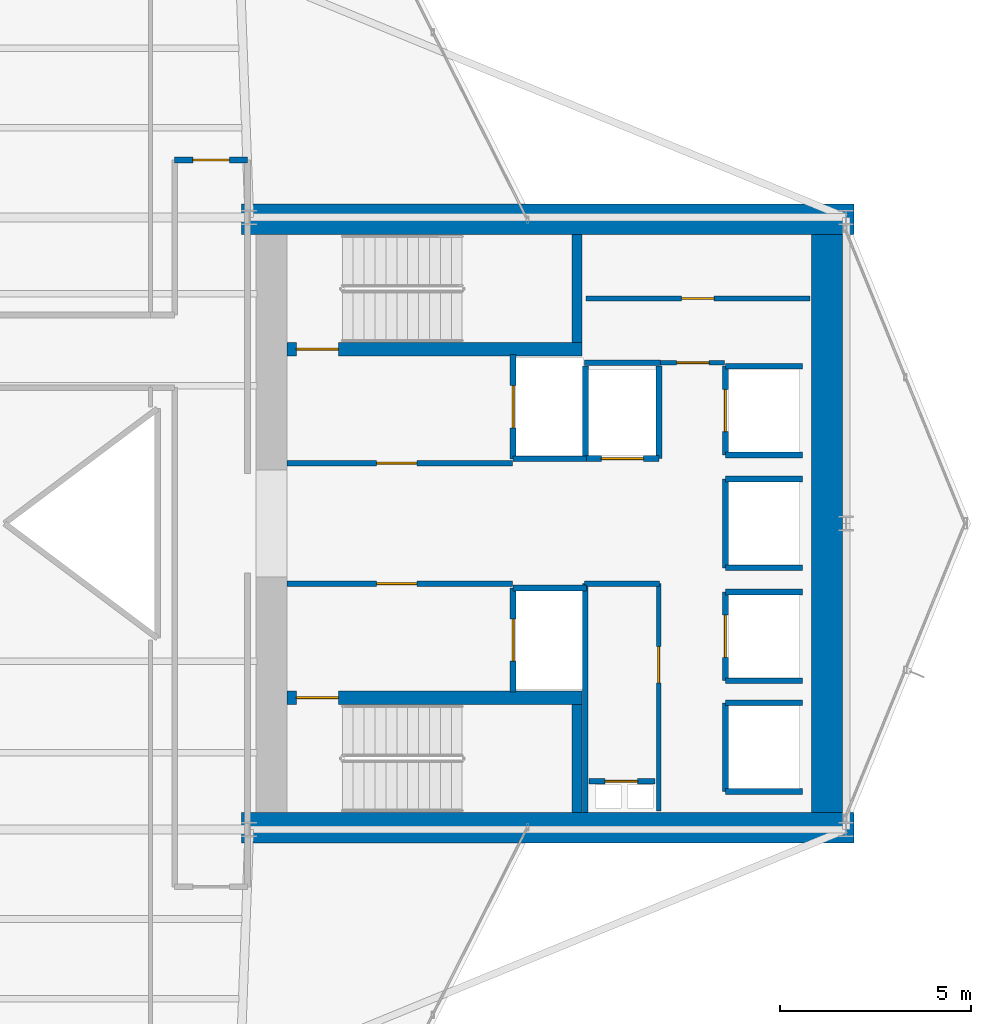
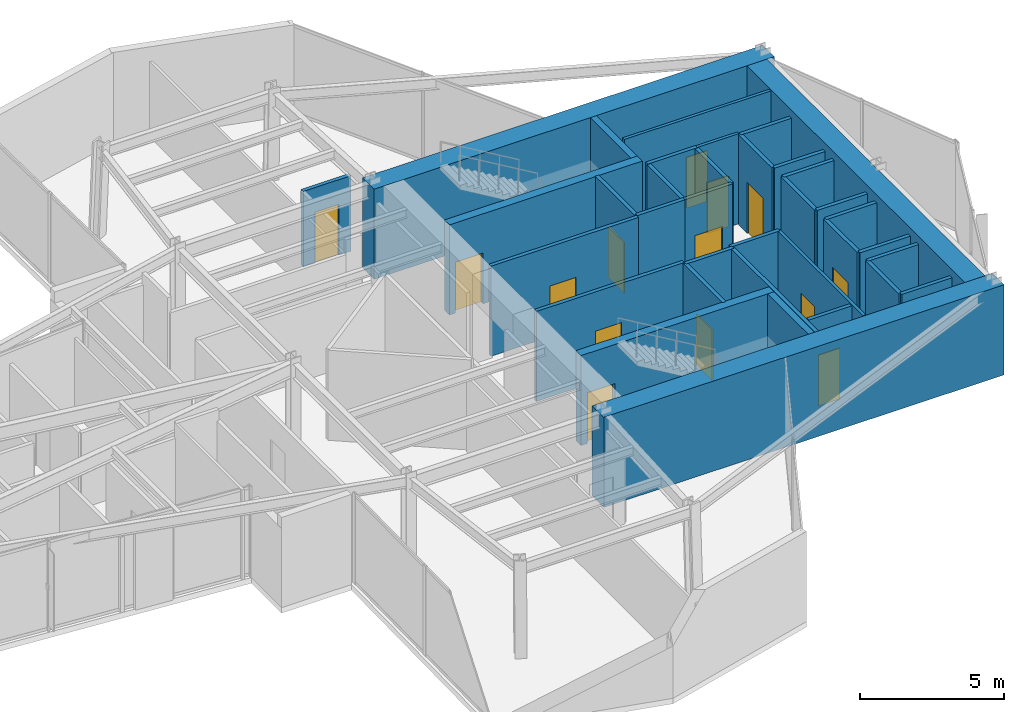
# One storey, part 23 of 25: 36 walls, 14 doors, 14 openings.
"""IFC4 building model written with IfcOpenShell, lengths in metres."""

from ifc_helpers import new_model, si_unit, direction, frame, frame_2d, origin, place, context, subcontext, project, spatial, rectangle, extrude, material, layer, layer_set, type_object, element, fill, save


model = new_model("IFC4")

# Units and contexts
model_context = context("Model", 3, precision=1e-05, world=origin(), true_north=direction((0.0, 1.0)))
body_context = subcontext(model_context, "Body", "Model", "MODEL_VIEW")
ifc_project = project(units=[si_unit("LENGTHUNIT", "METRE"), si_unit("AREAUNIT", "SQUARE_METRE"), si_unit("VOLUMEUNIT", "CUBIC_METRE"), si_unit("PLANEANGLEUNIT", "RADIAN"), si_unit("MASSUNIT", "GRAM", prefix="KILO")], contexts=[model_context])

# Site, building, storey
site_placement = place(None, origin())
site = spatial("IfcSite", under=ifc_project, at=site_placement, CompositionType="ELEMENT")
building_placement = place(site_placement, origin())
building = spatial("IfcBuilding", under=site, at=building_placement, Name="Veymaron Broadcast Tower", CompositionType="ELEMENT")
storey_placement = place(building_placement, frame((0.0, 0.0, 137.10009765625)))
storey = spatial("IfcBuildingStorey", under=building, at=storey_placement, Name="L31", CompositionType="ELEMENT", Elevation=137.10009765625)

# Wall, opening, door
ifc_material_1 = material(Name="Gypsum fireboard and steel stud framing", Category="steel")
ifc_layer_1 = layer(ifc_material_1, 0.14990234375)
ifc_layer_set_1 = layer_set([ifc_layer_1], Name="Gypsum fireboard and steel stud framing")
wall_type_1 = type_object("IfcWallType", Name="WALL-FIRE-150", PredefinedType="PARTITIONING", material=ifc_layer_set_1)
wall_1_placement = place(storey_placement, frame((39.97998046875, 25.574951171875, 0.0), z_axis=(0.0, 0.0, 1.0), x_axis=(1.0, 0.0, 0.0)))
wall_1 = element("IfcWall", 1, at=wall_1_placement, inside=storey, type_object=wall_type_1, Name="L31 partition IW-L31-FFLN-S", PredefinedType="PARTITIONING", context=body_context, shape_type="SweptSolid", body=[
    extrude(rectangle(XDim=5.89990234375, YDim=0.14990234375, at=frame_2d((2.949951171875, 0.0))), origin(), (0.0, 0.0, 1.0), 3.809814453125),
])
opening_1_placement = place(wall_1_placement, frame((2.35009765625, 0.0, 0.0)))
opening_1 = element("IfcOpeningElement", 2, at=opening_1_placement, cuts=wall_1, Name="Opening ID-FL1", PredefinedType="OPENING", context=body_context, shape_type="SweptSolid", body=[
    extrude(rectangle(XDim=1.050048828125, YDim=2.14990234375, at=frame_2d((0.52490234375, 1.074951171875))), frame((0.0, 0.0849609375, 0.0), z_axis=(0.0, -1.0, 0.0), x_axis=(1.0, 0.0, 0.0)), (0.0, 0.0, 1.0), 0.169921875),
])
ifc_material_2 = material(Name="Fire-rated painted hollow steel ASTM A653", Category="steel")
door_type_1 = type_object("IfcDoorType", Name="DOOR-FIRE-1050", OperationType="NOTDEFINED", PredefinedType="DOOR", material=ifc_material_2)
door_1_placement = place(opening_1_placement, origin())
door_1 = element("IfcDoor", 3, at=door_1_placement, inside=storey, type_object=door_type_1, Name="L31 door DR-L31-FFLN", OperationType="SINGLE_SWING_LEFT", OverallHeight=2.14990234375, OverallWidth=1.050048828125, PredefinedType="DOOR", context=body_context, shape_type="SweptSolid", body=[
    extrude(rectangle(XDim=1.050048828125, YDim=2.14990234375, at=frame_2d((0.52490234375, 1.074951171875))), frame((0.0, 0.02490234375, 0.0), z_axis=(0.0, -1.0, 0.0), x_axis=(1.0, 0.0, 0.0)), (0.0, 0.0, 1.0), 0.050048828125),
])
fill(opening_1, door_1)

wall_2_placement = place(storey_placement, frame((39.97998046875, 22.425048828125, 0.0), z_axis=(0.0, 0.0, 1.0), x_axis=(1.0, 0.0, 0.0)))
wall_2 = element("IfcWall", 4, at=wall_2_placement, inside=storey, type_object=wall_type_1, Name="L31 partition IW-L31-FFLS-N", PredefinedType="PARTITIONING", context=body_context, shape_type="SweptSolid", body=[
    extrude(rectangle(XDim=5.89990234375, YDim=0.14990234375, at=frame_2d((2.949951171875, 0.0))), origin(), (0.0, 0.0, 1.0), 3.809814453125),
])
opening_2_placement = place(wall_2_placement, frame((2.35009765625, 0.0, 0.0)))
opening_2 = element("IfcOpeningElement", 5, at=opening_2_placement, cuts=wall_2, Name="Opening ID-FL1", PredefinedType="OPENING", context=body_context, shape_type="SweptSolid", body=[
    extrude(rectangle(XDim=1.050048828125, YDim=2.14990234375, at=frame_2d((0.52490234375, 1.074951171875))), frame((0.0, 0.0849609375, 0.0), z_axis=(0.0, -1.0, 0.0), x_axis=(1.0, 0.0, 0.0)), (0.0, 0.0, 1.0), 0.169921875),
])
door_2_placement = place(opening_2_placement, frame((1.050048828125, 0.0, 0.0), z_axis=(0.0, 0.0, 1.0), x_axis=(-1.0, 0.0, 0.0)))
door_2 = element("IfcDoor", 6, at=door_2_placement, inside=storey, type_object=door_type_1, Name="L31 door DR-L31-FFLS", OperationType="SINGLE_SWING_RIGHT", OverallHeight=2.14990234375, OverallWidth=1.050048828125, PredefinedType="DOOR", context=body_context, shape_type="SweptSolid", body=[
    extrude(rectangle(XDim=1.050048828125, YDim=2.14990234375, at=frame_2d((0.52490234375, 1.074951171875))), frame((0.0, 0.02490234375, 0.0), z_axis=(0.0, -1.0, 0.0), x_axis=(1.0, 0.0, 0.0)), (0.0, 0.0, 1.0), 0.050048828125),
])
fill(opening_2, door_2)

wall_3_placement = place(storey_placement, frame((45.89501953125, 25.68994140625, 0.0), z_axis=(0.0, 0.0, 1.0), x_axis=(0.0, 1.0, 0.0)))
wall_3 = element("IfcWall", 7, at=wall_3_placement, inside=storey, type_object=wall_type_1, Name="L31 partition IW-L31-SHW-FFL-1", PredefinedType="PARTITIONING", context=body_context, shape_type="SweptSolid", body=[
    extrude(rectangle(XDim=2.719970703125, YDim=0.14990234375, at=frame_2d((1.35986328125, 0.0))), origin(), (0.0, 0.0, 1.0), 3.809814453125),
])
opening_3_placement = place(wall_3_placement, frame((0.81005859375, 0.0, 0.0)))
opening_3 = element("IfcOpeningElement", 8, at=opening_3_placement, cuts=wall_3, Name="Opening LD", PredefinedType="OPENING", context=body_context, shape_type="SweptSolid", body=[
    extrude(rectangle(XDim=1.10009765625, YDim=2.14990234375, at=frame_2d((0.550048828125, 1.074951171875))), frame((0.0, 0.0849609375, 0.0), z_axis=(0.0, -1.0, 0.0), x_axis=(1.0, 0.0, 0.0)), (0.0, 0.0, 1.0), 0.169921875),
])
ifc_material_3 = material(Name="Brushed stainless steel AISI 304", Category="steel")
door_type_2 = type_object("IfcDoorType", Name="DOOR-LIFT-1100", OperationType="DOUBLE_DOOR_SLIDING", PredefinedType="DOOR", material=ifc_material_3)
door_3_placement = place(opening_3_placement, frame((1.10009765625, 0.0, 0.0), z_axis=(0.0, 0.0, 1.0), x_axis=(-1.0, 0.0, 0.0)))
door_3 = element("IfcDoor", 9, at=door_3_placement, inside=storey, type_object=door_type_2, Name="L31 door LD-L31-FFL-1", OperationType="DOUBLE_DOOR_SLIDING", OverallHeight=2.14990234375, OverallWidth=1.10009765625, PredefinedType="DOOR", context=body_context, shape_type="SweptSolid", body=[
    extrude(rectangle(XDim=1.10009765625, YDim=2.14990234375, at=frame_2d((0.550048828125, 1.074951171875))), frame((0.0, 0.02490234375, 0.0), z_axis=(0.0, -1.0, 0.0), x_axis=(1.0, 0.0, 0.0)), (0.0, 0.0, 1.0), 0.050048828125),
])
fill(opening_3, door_3)

# Wall
wall_4_placement = place(storey_placement, frame((45.89501953125, 25.68994140625, 0.0), z_axis=(0.0, 0.0, 1.0), x_axis=(1.0, 0.0, 0.0)))
element("IfcWall", 10, at=wall_4_placement, inside=storey, type_object=wall_type_1, Name="L31 partition IW-L31-SHS-FFL-1", PredefinedType="PARTITIONING", context=body_context, shape_type="SweptSolid", body=[
    extrude(rectangle(XDim=1.9150390625, YDim=0.14990234375, at=frame_2d((0.95751953125, 0.0))), origin(), (0.0, 0.0, 1.0), 3.809814453125),
])

# Wall, opening, door
wall_5_placement = place(storey_placement, frame((45.89501953125, 19.590087890625, 0.0), z_axis=(0.0, 0.0, 1.0), x_axis=(0.0, 1.0, 0.0)))
wall_5 = element("IfcWall", 11, at=wall_5_placement, inside=storey, type_object=wall_type_1, Name="L31 partition IW-L31-SHW-FFL-2", PredefinedType="PARTITIONING", context=body_context, shape_type="SweptSolid", body=[
    extrude(rectangle(XDim=2.719970703125, YDim=0.14990234375, at=frame_2d((1.35986328125, 0.0))), origin(), (0.0, 0.0, 1.0), 3.809814453125),
])
opening_4_placement = place(wall_5_placement, frame((0.81005859375, 0.0, 0.0)))
opening_4 = element("IfcOpeningElement", 12, at=opening_4_placement, cuts=wall_5, Name="Opening LD", PredefinedType="OPENING", context=body_context, shape_type="SweptSolid", body=[
    extrude(rectangle(XDim=1.10009765625, YDim=2.14990234375, at=frame_2d((0.550048828125, 1.074951171875))), frame((0.0, 0.0849609375, 0.0), z_axis=(0.0, -1.0, 0.0), x_axis=(1.0, 0.0, 0.0)), (0.0, 0.0, 1.0), 0.169921875),
])
door_4_placement = place(opening_4_placement, frame((1.10009765625, 0.0, 0.0), z_axis=(0.0, 0.0, 1.0), x_axis=(-1.0, 0.0, 0.0)))
door_4 = element("IfcDoor", 13, at=door_4_placement, inside=storey, type_object=door_type_2, Name="L31 door LD-L31-FFL-2", OperationType="DOUBLE_DOOR_SLIDING", OverallHeight=2.14990234375, OverallWidth=1.10009765625, PredefinedType="DOOR", context=body_context, shape_type="SweptSolid", body=[
    extrude(rectangle(XDim=1.10009765625, YDim=2.14990234375, at=frame_2d((0.550048828125, 1.074951171875))), frame((0.0, 0.02490234375, 0.0), z_axis=(0.0, -1.0, 0.0), x_axis=(1.0, 0.0, 0.0)), (0.0, 0.0, 1.0), 0.050048828125),
])
fill(opening_4, door_4)

# Wall
wall_6_placement = place(storey_placement, frame((45.89501953125, 22.31005859375, 0.0), z_axis=(0.0, 0.0, 1.0), x_axis=(1.0, 0.0, 0.0)))
element("IfcWall", 14, at=wall_6_placement, inside=storey, type_object=wall_type_1, Name="L31 partition IW-L31-SHN-FFL-2", PredefinedType="PARTITIONING", context=body_context, shape_type="SweptSolid", body=[
    extrude(rectangle(XDim=1.9150390625, YDim=0.14990234375, at=frame_2d((0.95751953125, 0.0))), origin(), (0.0, 0.0, 1.0), 3.809814453125),
])

# Wall, opening, door
wall_7_placement = place(storey_placement, frame((47.7900390625, 25.695068359375, 0.0), z_axis=(0.0, 0.0, 1.0), x_axis=(1.0, 0.0, 0.0)))
wall_7 = element("IfcWall", 15, at=wall_7_placement, inside=storey, type_object=wall_type_1, Name="L31 partition IW-L31-SHS-SL-1", PredefinedType="PARTITIONING", context=body_context, shape_type="SweptSolid", body=[
    extrude(rectangle(XDim=1.919921875, YDim=0.14990234375, at=frame_2d((0.9599609375, 0.0))), origin(), (0.0, 0.0, 1.0), 3.809814453125),
])
opening_5_placement = place(wall_7_placement, frame((0.409912109375, 0.0, 0.0)))
opening_5 = element("IfcOpeningElement", 16, at=opening_5_placement, cuts=wall_7, Name="Opening LD", PredefinedType="OPENING", context=body_context, shape_type="SweptSolid", body=[
    extrude(rectangle(XDim=1.10009765625, YDim=2.14990234375, at=frame_2d((0.550048828125, 1.074951171875))), frame((0.0, 0.0849609375, 0.0), z_axis=(0.0, -1.0, 0.0), x_axis=(1.0, 0.0, 0.0)), (0.0, 0.0, 1.0), 0.169921875),
])
door_5_placement = place(opening_5_placement, frame((1.10009765625, 0.0, 0.0), z_axis=(0.0, 0.0, 1.0), x_axis=(-1.0, 0.0, 0.0)))
door_5 = element("IfcDoor", 17, at=door_5_placement, inside=storey, type_object=door_type_2, Name="L31 door LD-L31-SL-1", OperationType="DOUBLE_DOOR_SLIDING", OverallHeight=2.14990234375, OverallWidth=1.10009765625, PredefinedType="DOOR", context=body_context, shape_type="SweptSolid", body=[
    extrude(rectangle(XDim=1.10009765625, YDim=2.14990234375, at=frame_2d((0.550048828125, 1.074951171875))), frame((0.0, 0.02490234375, 0.0), z_axis=(0.0, -1.0, 0.0), x_axis=(1.0, 0.0, 0.0)), (0.0, 0.0, 1.0), 0.050048828125),
])
fill(opening_5, door_5)

# Walls
for number, where, z_axis, x_axis, name in (
    (18, (47.7900390625, 25.695068359375, 0.0), (0.0, 0.0, 1.0), (0.0, 1.0, 0.0), "L31 partition IW-L31-SHW-SL-1"),
    (19, (49.7099609375, 25.695068359375, 0.0), (0.0, 0.0, 1.0), (0.0, 1.0, 0.0), "L31 partition IW-L31-SHE-SL-1"),
):
    element("IfcWall", number, at=place(storey_placement, frame(where, z_axis=z_axis, x_axis=x_axis)), inside=storey, type_object=wall_type_1, Name=name, PredefinedType="PARTITIONING", context=body_context, shape_type="SweptSolid", body=[
        extrude(rectangle(XDim=2.4150390625, YDim=0.14990234375, at=frame_2d((1.20751953125, 0.0))), origin(), (0.0, 0.0, 1.0), 3.809814453125),
    ])

# Wall, opening, door
wall_8_placement = place(storey_placement, frame((51.445068359375, 25.7900390625, 0.0), z_axis=(0.0, 0.0, 1.0), x_axis=(0.0, 1.0, 0.0)))
wall_8 = element("IfcWall", 20, at=wall_8_placement, inside=storey, type_object=wall_type_1, Name="L31 partition IW-L31-SHW-PM1", PredefinedType="PARTITIONING", context=body_context, shape_type="SweptSolid", body=[
    extrude(rectangle(XDim=2.320068359375, YDim=0.14990234375, at=frame_2d((1.16015625, 0.0))), origin(), (0.0, 0.0, 1.0), 3.809814453125),
])
opening_6_placement = place(wall_8_placement, frame((0.610107421875, 0.0, 0.0)))
opening_6 = element("IfcOpeningElement", 21, at=opening_6_placement, cuts=wall_8, Name="Opening LD", PredefinedType="OPENING", context=body_context, shape_type="SweptSolid", body=[
    extrude(rectangle(XDim=1.10009765625, YDim=2.14990234375, at=frame_2d((0.550048828125, 1.074951171875))), frame((0.0, 0.0849609375, 0.0), z_axis=(0.0, -1.0, 0.0), x_axis=(1.0, 0.0, 0.0)), (0.0, 0.0, 1.0), 0.169921875),
])
door_6_placement = place(opening_6_placement, frame((1.10009765625, 0.0, 0.0), z_axis=(0.0, 0.0, 1.0), x_axis=(-1.0, 0.0, 0.0)))
door_6 = element("IfcDoor", 22, at=door_6_placement, inside=storey, type_object=door_type_2, Name="L31 door LD-L31-PM1", OperationType="DOUBLE_DOOR_SLIDING", OverallHeight=2.14990234375, OverallWidth=1.10009765625, PredefinedType="DOOR", context=body_context, shape_type="SweptSolid", body=[
    extrude(rectangle(XDim=1.10009765625, YDim=2.14990234375, at=frame_2d((0.550048828125, 1.074951171875))), frame((0.0, 0.02490234375, 0.0), z_axis=(0.0, -1.0, 0.0), x_axis=(1.0, 0.0, 0.0)), (0.0, 0.0, 1.0), 0.050048828125),
])
fill(opening_6, door_6)

# Walls
for number, where, z_axis, x_axis, name in (
    (23, (51.445068359375, 25.7900390625, 0.0), (0.0, 0.0, 1.0), (1.0, 0.0, 0.0), "L31 partition IW-L31-SHS-PM1"),
    (24, (51.445068359375, 28.110107421875, 0.0), (0.0, 0.0, 1.0), (1.0, 0.0, 0.0), "L31 partition IW-L31-SHN-PM1"),
):
    element("IfcWall", number, at=place(storey_placement, frame(where, z_axis=z_axis, x_axis=x_axis)), inside=storey, type_object=wall_type_1, Name=name, PredefinedType="PARTITIONING", context=body_context, shape_type="SweptSolid", body=[
        extrude(rectangle(XDim=2.014892578125, YDim=0.14990234375, at=frame_2d((1.00732421875, 0.0))), origin(), (0.0, 0.0, 1.0), 3.809814453125),
    ])

# Wall, opening, door
wall_9_placement = place(storey_placement, frame((51.445068359375, 19.889892578125, 0.0), z_axis=(0.0, 0.0, 1.0), x_axis=(0.0, 1.0, 0.0)))
wall_9 = element("IfcWall", 25, at=wall_9_placement, inside=storey, type_object=wall_type_1, Name="L31 partition IW-L31-SHW-PM2", PredefinedType="PARTITIONING", context=body_context, shape_type="SweptSolid", body=[
    extrude(rectangle(XDim=2.320068359375, YDim=0.14990234375, at=frame_2d((1.16015625, 0.0))), origin(), (0.0, 0.0, 1.0), 3.809814453125),
])
opening_7_placement = place(wall_9_placement, frame((0.610107421875, 0.0, 0.0)))
opening_7 = element("IfcOpeningElement", 26, at=opening_7_placement, cuts=wall_9, Name="Opening LD", PredefinedType="OPENING", context=body_context, shape_type="SweptSolid", body=[
    extrude(rectangle(XDim=1.10009765625, YDim=2.14990234375, at=frame_2d((0.550048828125, 1.074951171875))), frame((0.0, 0.0849609375, 0.0), z_axis=(0.0, -1.0, 0.0), x_axis=(1.0, 0.0, 0.0)), (0.0, 0.0, 1.0), 0.169921875),
])
door_7_placement = place(opening_7_placement, frame((1.10009765625, 0.0, 0.0), z_axis=(0.0, 0.0, 1.0), x_axis=(-1.0, 0.0, 0.0)))
door_7 = element("IfcDoor", 27, at=door_7_placement, inside=storey, type_object=door_type_2, Name="L31 door LD-L31-PM2", OperationType="DOUBLE_DOOR_SLIDING", OverallHeight=2.14990234375, OverallWidth=1.10009765625, PredefinedType="DOOR", context=body_context, shape_type="SweptSolid", body=[
    extrude(rectangle(XDim=1.10009765625, YDim=2.14990234375, at=frame_2d((0.550048828125, 1.074951171875))), frame((0.0, 0.02490234375, 0.0), z_axis=(0.0, -1.0, 0.0), x_axis=(1.0, 0.0, 0.0)), (0.0, 0.0, 1.0), 0.050048828125),
])
fill(opening_7, door_7)

# Walls
for number, where, z_axis, x_axis, name in (
    (28, (51.445068359375, 19.889892578125, 0.0), (0.0, 0.0, 1.0), (1.0, 0.0, 0.0), "L31 partition IW-L31-SHS-PM2"),
    (29, (51.445068359375, 22.2099609375, 0.0), (0.0, 0.0, 1.0), (1.0, 0.0, 0.0), "L31 partition IW-L31-SHN-PM2"),
):
    element("IfcWall", number, at=place(storey_placement, frame(where, z_axis=z_axis, x_axis=x_axis)), inside=storey, type_object=wall_type_1, Name=name, PredefinedType="PARTITIONING", context=body_context, shape_type="SweptSolid", body=[
        extrude(rectangle(XDim=2.014892578125, YDim=0.14990234375, at=frame_2d((1.00732421875, 0.0))), origin(), (0.0, 0.0, 1.0), 3.809814453125),
    ])
wall_10_placement = place(storey_placement, frame((51.445068359375, 22.840087890625, 0.0), z_axis=(0.0, 0.0, 1.0), x_axis=(0.0, 1.0, 0.0)))
element("IfcWall", 30, at=wall_10_placement, inside=storey, type_object=wall_type_1, Name="L31 partition IW-L31-SHW-PM3", PredefinedType="PARTITIONING", context=body_context, shape_type="SweptSolid", body=[
    extrude(rectangle(XDim=2.31982421875, YDim=0.14990234375, at=frame_2d((1.159912109375, 0.0))), origin(), (0.0, 0.0, 1.0), 3.809814453125),
])
for number, where, z_axis, x_axis, name in (
    (31, (51.445068359375, 22.840087890625, 0.0), (0.0, 0.0, 1.0), (1.0, 0.0, 0.0), "L31 partition IW-L31-SHS-PM3"),
    (32, (51.445068359375, 25.159912109375, 0.0), (0.0, 0.0, 1.0), (1.0, 0.0, 0.0), "L31 partition IW-L31-SHN-PM3"),
):
    element("IfcWall", number, at=place(storey_placement, frame(where, z_axis=z_axis, x_axis=x_axis)), inside=storey, type_object=wall_type_1, Name=name, PredefinedType="PARTITIONING", context=body_context, shape_type="SweptSolid", body=[
        extrude(rectangle(XDim=2.014892578125, YDim=0.14990234375, at=frame_2d((1.00732421875, 0.0))), origin(), (0.0, 0.0, 1.0), 3.809814453125),
    ])
wall_11_placement = place(storey_placement, frame((51.445068359375, 16.989990234375, 0.0), z_axis=(0.0, 0.0, 1.0), x_axis=(0.0, 1.0, 0.0)))
element("IfcWall", 33, at=wall_11_placement, inside=storey, type_object=wall_type_1, Name="L31 partition IW-L31-SHW-PH1", PredefinedType="PARTITIONING", context=body_context, shape_type="SweptSolid", body=[
    extrude(rectangle(XDim=2.320068359375, YDim=0.14990234375, at=frame_2d((1.16015625, 0.0))), origin(), (0.0, 0.0, 1.0), 3.809814453125),
])
for number, where, z_axis, x_axis, name in (
    (34, (51.445068359375, 16.989990234375, 0.0), (0.0, 0.0, 1.0), (1.0, 0.0, 0.0), "L31 partition IW-L31-SHS-PH1"),
    (35, (51.445068359375, 19.31005859375, 0.0), (0.0, 0.0, 1.0), (1.0, 0.0, 0.0), "L31 partition IW-L31-SHN-PH1"),
):
    element("IfcWall", number, at=place(storey_placement, frame(where, z_axis=z_axis, x_axis=x_axis)), inside=storey, type_object=wall_type_1, Name=name, PredefinedType="PARTITIONING", context=body_context, shape_type="SweptSolid", body=[
        extrude(rectangle(XDim=2.014892578125, YDim=0.14990234375, at=frame_2d((1.00732421875, 0.0))), origin(), (0.0, 0.0, 1.0), 3.809814453125),
    ])

# Wall, opening, door
wall_12_placement = place(storey_placement, frame((47.8798828125, 17.260009765625, 0.0), z_axis=(0.0, 0.0, 1.0), x_axis=(1.0, 0.0, 0.0)))
wall_12 = element("IfcWall", 36, at=wall_12_placement, inside=storey, type_object=wall_type_1, Name="L31 partition IW-L31-RIS-N", PredefinedType="PARTITIONING", context=body_context, shape_type="SweptSolid", body=[
    extrude(rectangle(XDim=1.72021484375, YDim=0.14990234375, at=frame_2d((0.860107421875, 0.0))), origin(), (0.0, 0.0, 1.0), 3.809814453125),
])
opening_8_placement = place(wall_12_placement, frame((0.419921875, 0.0, 0.0)))
opening_8 = element("IfcOpeningElement", 37, at=opening_8_placement, cuts=wall_12, Name="Opening ID-RS1", PredefinedType="OPENING", context=body_context, shape_type="SweptSolid", body=[
    extrude(rectangle(XDim=0.85009765625, YDim=2.14990234375, at=frame_2d((0.425048828125, 1.074951171875))), frame((0.0, 0.0849609375, 0.0), z_axis=(0.0, -1.0, 0.0), x_axis=(1.0, 0.0, 0.0)), (0.0, 0.0, 1.0), 0.169921875),
])
ifc_material_4 = material(Name="Fire-rated powder-coated steel riser leaf", Category="steel")
door_type_3 = type_object("IfcDoorType", Name="DOOR-RIS-850", OperationType="NOTDEFINED", PredefinedType="TRAPDOOR", material=ifc_material_4)
door_8_placement = place(opening_8_placement, origin())
door_8 = element("IfcDoor", 38, at=door_8_placement, inside=storey, type_object=door_type_3, Name="L31 door DR-L31-RIS", OperationType="SINGLE_SWING_LEFT", OverallHeight=2.14990234375, OverallWidth=0.85009765625, PredefinedType="TRAPDOOR", context=body_context, shape_type="SweptSolid", body=[
    extrude(rectangle(XDim=0.85009765625, YDim=2.14990234375, at=frame_2d((0.425048828125, 1.074951171875))), frame((0.0, 0.02490234375, 0.0), z_axis=(0.0, -1.0, 0.0), x_axis=(1.0, 0.0, 0.0)), (0.0, 0.0, 1.0), 0.050048828125),
])
fill(opening_8, door_8)

# Walls
wall_13_placement = place(storey_placement, frame((47.760009765625, 22.425048828125, 0.0), z_axis=(0.0, 0.0, 1.0), x_axis=(1.0, 0.0, 0.0)))
element("IfcWall", 39, at=wall_13_placement, inside=storey, type_object=wall_type_1, Name="L31 partition IW-L31-SM-N", PredefinedType="PARTITIONING", context=body_context, shape_type="SweptSolid", body=[
    extrude(rectangle(XDim=1.9599609375, YDim=0.14990234375, at=frame_2d((0.97998046875, 0.0))), origin(), (0.0, 0.0, 1.0), 3.809814453125),
])
wall_14_placement = place(storey_placement, frame((47.780029296875, 16.449951171875, 0.0), z_axis=(0.0, 0.0, 1.0), x_axis=(0.0, 1.0, 0.0)))
element("IfcWall", 40, at=wall_14_placement, inside=storey, type_object=wall_type_1, Name="L31 partition IW-L31-SM-W", PredefinedType="PARTITIONING", context=body_context, shape_type="SweptSolid", body=[
    extrude(rectangle(XDim=5.97509765625, YDim=0.14990234375, at=frame_2d((2.987548828125, 0.0))), origin(), (0.0, 0.0, 1.0), 3.809814453125),
])
wall_15_placement = place(storey_placement, frame((47.760009765625, 28.199951171875, 0.0), z_axis=(0.0, 0.0, 1.0), x_axis=(1.0, 0.0, 0.0)))
element("IfcWall", 41, at=wall_15_placement, inside=storey, type_object=wall_type_1, Name="L31 partition IW-L31-F1-SW", PredefinedType="PARTITIONING", context=body_context, shape_type="SweptSolid", body=[
    extrude(rectangle(XDim=1.989990234375, YDim=0.14990234375, at=frame_2d((0.9951171875, 0.0))), origin(), (0.0, 0.0, 1.0), 3.809814453125),
])

# Wall, opening, door
wall_16_placement = place(storey_placement, frame((37.050048828125, 33.5, 0.0), z_axis=(0.0, 0.0, 1.0), x_axis=(1.0, 0.0, 0.0)))
wall_16 = element("IfcWall", 42, at=wall_16_placement, inside=storey, type_object=wall_type_1, Name="L31 partition IW-L31-P30", PredefinedType="PARTITIONING", context=body_context, shape_type="SweptSolid", body=[
    extrude(rectangle(XDim=1.89990234375, YDim=0.14990234375, at=frame_2d((0.949951171875, 0.0))), origin(), (0.0, 0.0, 1.0), 3.18994140625),
])
opening_9_placement = place(wall_16_placement, frame((0.47509765625, 0.0, 0.0)))
opening_9 = element("IfcOpeningElement", 43, at=opening_9_placement, cuts=wall_16, Name="Opening ID-RM1", PredefinedType="OPENING", context=body_context, shape_type="SweptSolid", body=[
    extrude(rectangle(XDim=0.949951171875, YDim=2.14990234375, at=frame_2d((0.47509765625, 1.074951171875))), frame((0.0, 0.0849609375, 0.0), z_axis=(0.0, -1.0, 0.0), x_axis=(1.0, 0.0, 0.0)), (0.0, 0.0, 1.0), 0.169921875),
])
ifc_material_5 = material(Name="Acoustic solid-core European oak veneer timber", Category="wood")
door_type_4 = type_object("IfcDoorType", Name="DOOR-INT-950", OperationType="NOTDEFINED", PredefinedType="DOOR", material=ifc_material_5)
door_9_placement = place(opening_9_placement, origin())
door_9 = element("IfcDoor", 44, at=door_9_placement, inside=storey, type_object=door_type_4, Name="L31 door DR-L31-P30", OperationType="SINGLE_SWING_LEFT", OverallHeight=2.14990234375, OverallWidth=0.949951171875, PredefinedType="DOOR", context=body_context, shape_type="SweptSolid", body=[
    extrude(rectangle(XDim=0.949951171875, YDim=2.14990234375, at=frame_2d((0.47509765625, 1.074951171875))), frame((0.0, 0.02490234375, 0.0), z_axis=(0.0, -1.0, 0.0), x_axis=(1.0, 0.0, 0.0)), (0.0, 0.0, 1.0), 0.050048828125),
])
fill(opening_9, door_9)

ifc_material_6 = material(Name="Acoustic gypsum board and galvanized stud", Category="gypsum")
ifc_layer_2 = layer(ifc_material_6, 0.1201171875)
ifc_layer_set_2 = layer_set([ifc_layer_2], Name="Acoustic gypsum board and galvanized stud")
wall_type_2 = type_object("IfcWallType", Name="WALL-PART-120", PredefinedType="PARTITIONING", material=ifc_layer_set_2)
wall_17_placement = place(storey_placement, frame((49.699951171875, 16.47998046875, 0.0), z_axis=(0.0, 0.0, 1.0), x_axis=(0.0, 1.0, 0.0)))
wall_17 = element("IfcWall", 45, at=wall_17_placement, inside=storey, type_object=wall_type_2, Name="L31 partition IW-L31-SM-E", PredefinedType="PARTITIONING", context=body_context, shape_type="SweptSolid", body=[
    extrude(rectangle(XDim=5.945068359375, YDim=0.1201171875, at=frame_2d((2.97265625, 0.0))), origin(), (0.0, 0.0, 1.0), 3.809814453125),
])
opening_10_placement = place(wall_17_placement, frame((3.35009765625, 0.0, 0.0)))
opening_10 = element("IfcOpeningElement", 46, at=opening_10_placement, cuts=wall_17, Name="Opening ID-RM1", PredefinedType="OPENING", context=body_context, shape_type="SweptSolid", body=[
    extrude(rectangle(XDim=0.949951171875, YDim=2.14990234375, at=frame_2d((0.47509765625, 1.074951171875))), frame((0.0, 0.070068359375, 0.0), z_axis=(0.0, -1.0, 0.0), x_axis=(1.0, 0.0, 0.0)), (0.0, 0.0, 1.0), 0.14013671875),
])
door_10_placement = place(opening_10_placement, frame((0.949951171875, 0.0, 0.0), z_axis=(0.0, 0.0, 1.0), x_axis=(-1.0, 0.0, 0.0)))
door_10 = element("IfcDoor", 47, at=door_10_placement, inside=storey, type_object=door_type_4, Name="L31 door DR-L31-AWC", OperationType="SINGLE_SWING_LEFT", OverallHeight=2.14990234375, OverallWidth=0.949951171875, PredefinedType="DOOR", context=body_context, shape_type="SweptSolid", body=[
    extrude(rectangle(XDim=0.949951171875, YDim=2.14990234375, at=frame_2d((0.47509765625, 1.074951171875))), frame((0.0, 0.02490234375, 0.0), z_axis=(0.0, -1.0, 0.0), x_axis=(1.0, 0.0, 0.0)), (0.0, 0.0, 1.0), 0.050048828125),
])
fill(opening_10, door_10)

wall_18_placement = place(storey_placement, frame((49.75, 28.199951171875, 0.0), z_axis=(0.0, 0.0, 1.0), x_axis=(1.0, 0.0, 0.0)))
wall_18 = element("IfcWall", 48, at=wall_18_placement, inside=storey, type_object=wall_type_2, Name="L31 partition IW-L31-F1-S", PredefinedType="PARTITIONING", context=body_context, shape_type="SweptSolid", body=[
    extrude(rectangle(XDim=1.669921875, YDim=0.1201171875, at=frame_2d((0.8349609375, 0.0))), origin(), (0.0, 0.0, 1.0), 3.809814453125),
])
opening_11_placement = place(wall_18_placement, frame((0.419921875, 0.0, 0.0)))
opening_11 = element("IfcOpeningElement", 49, at=opening_11_placement, cuts=wall_18, Name="Opening ID-WC1", PredefinedType="OPENING", context=body_context, shape_type="SweptSolid", body=[
    extrude(rectangle(XDim=0.85009765625, YDim=2.14990234375, at=frame_2d((0.425048828125, 1.074951171875))), frame((0.0, 0.070068359375, 0.0), z_axis=(0.0, -1.0, 0.0), x_axis=(1.0, 0.0, 0.0)), (0.0, 0.0, 1.0), 0.14013671875),
])
ifc_material_7 = material(Name="Moisture-resistant high-pressure laminate timber", Category="wood")
door_type_5 = type_object("IfcDoorType", Name="DOOR-INT-850", OperationType="NOTDEFINED", PredefinedType="DOOR", material=ifc_material_7)
door_11_placement = place(opening_11_placement, origin())
door_11 = element("IfcDoor", 50, at=door_11_placement, inside=storey, type_object=door_type_5, Name="L31 door DR-L31-F1A", OperationType="SINGLE_SWING_LEFT", OverallHeight=2.14990234375, OverallWidth=0.85009765625, PredefinedType="DOOR", context=body_context, shape_type="SweptSolid", body=[
    extrude(rectangle(XDim=0.85009765625, YDim=2.14990234375, at=frame_2d((0.425048828125, 1.074951171875))), frame((0.0, 0.02490234375, 0.0), z_axis=(0.0, -1.0, 0.0), x_axis=(1.0, 0.0, 0.0)), (0.0, 0.0, 1.0), 0.050048828125),
])
fill(opening_11, door_11)

wall_19_placement = place(storey_placement, frame((47.800048828125, 29.8798828125, 0.0), z_axis=(0.0, 0.0, 1.0), x_axis=(1.0, 0.0, 0.0)))
wall_19 = element("IfcWall", 51, at=wall_19_placement, inside=storey, type_object=wall_type_2, Name="L31 partition IW-L31-F1-MY", PredefinedType="PARTITIONING", context=body_context, shape_type="SweptSolid", body=[
    extrude(rectangle(XDim=5.85986328125, YDim=0.1201171875, at=frame_2d((2.929931640625, 0.0))), origin(), (0.0, 0.0, 1.0), 3.809814453125),
])
opening_12_placement = place(wall_19_placement, frame((2.5, 0.0, 0.0)))
opening_12 = element("IfcOpeningElement", 52, at=opening_12_placement, cuts=wall_19, Name="Opening ID-WC1", PredefinedType="OPENING", context=body_context, shape_type="SweptSolid", body=[
    extrude(rectangle(XDim=0.85009765625, YDim=2.14990234375, at=frame_2d((0.425048828125, 1.074951171875))), frame((0.0, 0.070068359375, 0.0), z_axis=(0.0, -1.0, 0.0), x_axis=(1.0, 0.0, 0.0)), (0.0, 0.0, 1.0), 0.14013671875),
])
door_12_placement = place(opening_12_placement, origin())
door_12 = element("IfcDoor", 53, at=door_12_placement, inside=storey, type_object=door_type_5, Name="L31 door DR-L31-F1B", OperationType="SINGLE_SWING_RIGHT", OverallHeight=2.14990234375, OverallWidth=0.85009765625, PredefinedType="DOOR", context=body_context, shape_type="SweptSolid", body=[
    extrude(rectangle(XDim=0.85009765625, YDim=2.14990234375, at=frame_2d((0.425048828125, 1.074951171875))), frame((0.0, 0.02490234375, 0.0), z_axis=(0.0, -1.0, 0.0), x_axis=(1.0, 0.0, 0.0)), (0.0, 0.0, 1.0), 0.050048828125),
])
fill(opening_12, door_12)

# Walls
ifc_material_8 = material(Name="Concrete C50/60", Category="concrete")
ifc_layer_3 = layer(ifc_material_8, 0.25)
ifc_layer_set_3 = layer_set([ifc_layer_3], Name="Concrete C50/60")
wall_type_3 = type_object("IfcWallType", Name="WALL-SHEAR-250", PredefinedType="SHEAR", material=ifc_layer_set_3)
for number, where, z_axis, x_axis, name in (
    (54, (47.56494140625, 28.72998046875, 0.0), (0.0, 0.0, 1.0), (0.0, 1.0, 0.0), "L31 Core Wall north stair east shear"),
    (55, (47.56494140625, 16.449951171875, 0.0), (0.0, 0.0, 1.0), (0.0, 1.0, 0.0), "L31 Core Wall south stair east shear"),
):
    element("IfcWall", number, at=place(storey_placement, frame(where, z_axis=z_axis, x_axis=x_axis)), inside=storey, type_object=wall_type_3, Name=name, PredefinedType="SHEAR", context=body_context, shape_type="SweptSolid", body=[
        extrude(rectangle(XDim=2.820068359375, YDim=0.25, at=frame_2d((1.41015625, 0.0))), origin(), (0.0, 0.0, 1.0), 3.809814453125),
    ])

# Wall, opening, door
ifc_layer_4 = layer(ifc_material_8, 0.35009765625)
ifc_layer_set_4 = layer_set([ifc_layer_4], Name="Concrete C50/60")
wall_type_4 = type_object("IfcWallType", Name="WALL-SHEAR-350", PredefinedType="SHEAR", material=ifc_layer_set_4)
wall_20_placement = place(storey_placement, frame((39.97998046875, 28.554931640625, 0.0), z_axis=(0.0, 0.0, 1.0), x_axis=(1.0, 0.0, 0.0)))
wall_20 = element("IfcWall", 56, at=wall_20_placement, inside=storey, type_object=wall_type_4, Name="L31 Core Wall north stair spine", PredefinedType="SHEAR", context=body_context, shape_type="SweptSolid", body=[
    extrude(rectangle(XDim=7.7099609375, YDim=0.35009765625, at=frame_2d((3.85498046875, 0.0))), origin(), (0.0, 0.0, 1.0), 3.809814453125),
])
opening_13_placement = place(wall_20_placement, frame((0.25, 0.0, 0.0)))
opening_13 = element("IfcOpeningElement", 57, at=opening_13_placement, cuts=wall_20, Name="Opening ID-ST1", PredefinedType="OPENING", context=body_context, shape_type="SweptSolid", body=[
    extrude(rectangle(XDim=1.10009765625, YDim=2.14990234375, at=frame_2d((0.550048828125, 1.074951171875))), frame((0.0, 0.18505859375, 0.0), z_axis=(0.0, -1.0, 0.0), x_axis=(1.0, 0.0, 0.0)), (0.0, 0.0, 1.0), 0.3701171875),
])
door_type_6 = type_object("IfcDoorType", Name="DOOR-STAIR-1100", OperationType="NOTDEFINED", PredefinedType="DOOR", material=ifc_material_2)
door_13_placement = place(opening_13_placement, origin())
door_13 = element("IfcDoor", 58, at=door_13_placement, inside=storey, type_object=door_type_6, Name="L31 exit stair ST1 fire door", OperationType="SINGLE_SWING_RIGHT", OverallHeight=2.14990234375, OverallWidth=1.10009765625, PredefinedType="DOOR", context=body_context, shape_type="SweptSolid", body=[
    extrude(rectangle(XDim=1.10009765625, YDim=2.14990234375, at=frame_2d((0.550048828125, 1.074951171875))), frame((0.0, 0.02490234375, 0.0), z_axis=(0.0, -1.0, 0.0), x_axis=(1.0, 0.0, 0.0)), (0.0, 0.0, 1.0), 0.050048828125),
])
fill(opening_13, door_13)

wall_21_placement = place(storey_placement, frame((39.97998046875, 19.445068359375, 0.0), z_axis=(0.0, 0.0, 1.0), x_axis=(1.0, 0.0, 0.0)))
wall_21 = element("IfcWall", 59, at=wall_21_placement, inside=storey, type_object=wall_type_4, Name="L31 Core Wall south stair spine", PredefinedType="SHEAR", context=body_context, shape_type="SweptSolid", body=[
    extrude(rectangle(XDim=7.7099609375, YDim=0.35009765625, at=frame_2d((3.85498046875, 0.0))), origin(), (0.0, 0.0, 1.0), 3.809814453125),
])
opening_14_placement = place(wall_21_placement, frame((0.25, 0.0, 0.0)))
opening_14 = element("IfcOpeningElement", 60, at=opening_14_placement, cuts=wall_21, Name="Opening ID-ST1", PredefinedType="OPENING", context=body_context, shape_type="SweptSolid", body=[
    extrude(rectangle(XDim=1.10009765625, YDim=2.14990234375, at=frame_2d((0.550048828125, 1.074951171875))), frame((0.0, 0.18505859375, 0.0), z_axis=(0.0, -1.0, 0.0), x_axis=(1.0, 0.0, 0.0)), (0.0, 0.0, 1.0), 0.3701171875),
])
door_14_placement = place(opening_14_placement, frame((1.10009765625, 0.0, 0.0), z_axis=(0.0, 0.0, 1.0), x_axis=(-1.0, 0.0, 0.0)))
door_14 = element("IfcDoor", 61, at=door_14_placement, inside=storey, type_object=door_type_6, Name="L31 exit stair ST2 fire door", OperationType="SINGLE_SWING_LEFT", OverallHeight=2.14990234375, OverallWidth=1.10009765625, PredefinedType="DOOR", context=body_context, shape_type="SweptSolid", body=[
    extrude(rectangle(XDim=1.10009765625, YDim=2.14990234375, at=frame_2d((0.550048828125, 1.074951171875))), frame((0.0, 0.02490234375, 0.0), z_axis=(0.0, -1.0, 0.0), x_axis=(1.0, 0.0, 0.0)), (0.0, 0.0, 1.0), 0.050048828125),
])
fill(opening_14, door_14)

# Walls
ifc_material_9 = material(Name="Concrete C60/75", Category="concrete")
ifc_layer_5 = layer(ifc_material_9, 0.800048828125)
ifc_layer_set_5 = layer_set([ifc_layer_5], Name="Concrete C60/75")
wall_type_5 = type_object("IfcWallType", Name="WALL-SHEAR-800", PredefinedType="SHEAR", material=ifc_layer_set_5)
for number, where, z_axis, x_axis, name in (
    (62, (38.800048828125, 31.949951171875, 0.0), (0.0, 0.0, 1.0), (1.0, 0.0, 0.0), "L31 Core Wall north shear"),
    (63, (38.800048828125, 16.050048828125, 0.0), (0.0, 0.0, 1.0), (1.0, 0.0, 0.0), "L31 Core Wall south shear"),
):
    element("IfcWall", number, at=place(storey_placement, frame(where, z_axis=z_axis, x_axis=x_axis)), inside=storey, type_object=wall_type_5, Name=name, PredefinedType="SHEAR", context=body_context, shape_type="SweptSolid", body=[
        extrude(rectangle(XDim=16.0, YDim=0.800048828125, at=frame_2d((8.0, 0.0))), origin(), (0.0, 0.0, 1.0), 3.809814453125),
    ])
wall_22_placement = place(storey_placement, frame((54.10009765625, 16.449951171875, 0.0), z_axis=(0.0, 0.0, 1.0), x_axis=(0.0, 1.0, 0.0)))
element("IfcWall", 64, at=wall_22_placement, inside=storey, type_object=wall_type_5, Name="L31 Core Wall east shear", PredefinedType="SHEAR", context=body_context, shape_type="SweptSolid", body=[
    extrude(rectangle(XDim=15.10009765625, YDim=0.800048828125, at=frame_2d((7.550048828125, 0.0))), origin(), (0.0, 0.0, 1.0), 3.809814453125),
])

save(model, "model.ifc")
